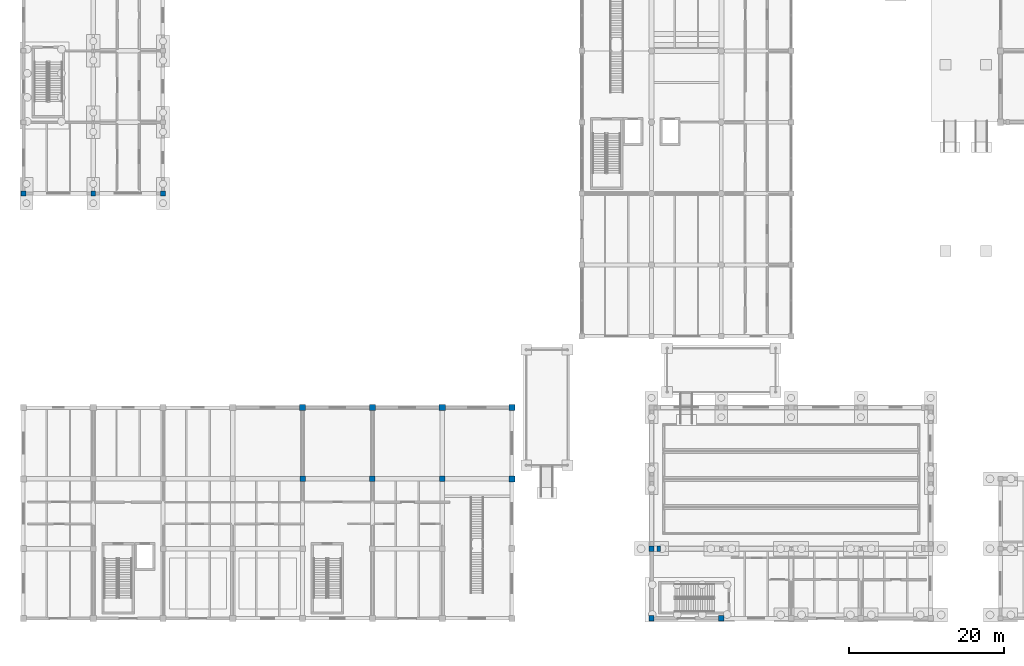
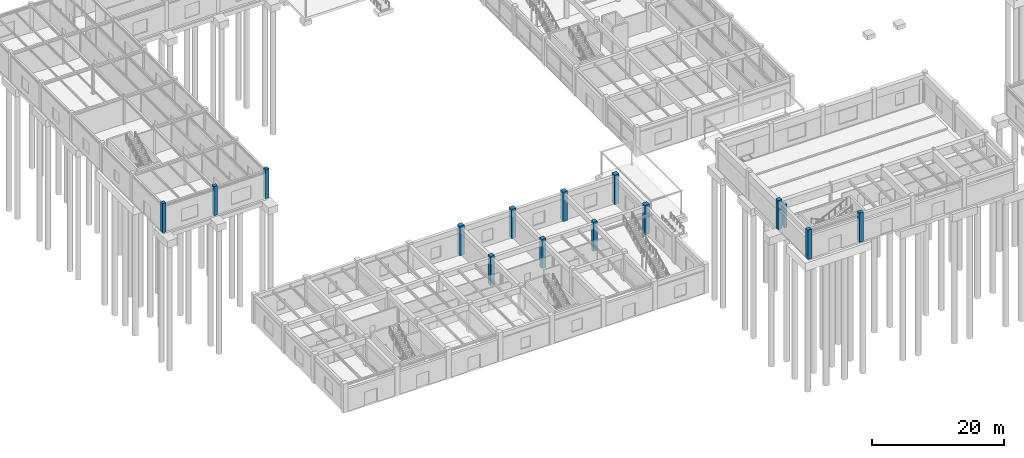
# One storey, part 5 of 76: 15 columns.
"""IFC4 building model written with IfcOpenShell, lengths in metres."""

from ifc_helpers import new_model, si_unit, direction, frame, origin, origin_2d, place, context, subcontext, project, spatial, rectangle, extrude, material, material_profile, profile_set, type_object, element, save


model = new_model("IFC4")

# Units and contexts
model_context = context("Model", 3, precision=1e-05, world=origin(), true_north=direction((0.0, 1.0)))
body_context = subcontext(model_context, "Body", "Model", "MODEL_VIEW")
ifc_project = project(units=[si_unit("LENGTHUNIT", "METRE"), si_unit("AREAUNIT", "SQUARE_METRE"), si_unit("VOLUMEUNIT", "CUBIC_METRE"), si_unit("PLANEANGLEUNIT", "RADIAN"), si_unit("MASSUNIT", "GRAM", prefix="KILO")], contexts=[model_context])

# Site, building, storey
site_placement = place(None, origin())
site = spatial("IfcSite", under=ifc_project, at=site_placement, CompositionType="ELEMENT")
building_placement = place(site_placement, origin())
building = spatial("IfcBuilding", under=site, at=building_placement, Name="Bozkorgan Art Gallery", CompositionType="ELEMENT")
storey_placement = place(building_placement, origin())
storey = spatial("IfcBuildingStorey", under=building, at=storey_placement, Name="L00", CompositionType="ELEMENT", Elevation=0.0)

# Columns
ifc_material = material(Name="Concrete C40/50", Category="concrete")
ifc_material_profile_1 = material_profile(ifc_material, rectangle(XDim=0.699951171875, YDim=0.699951171875, at=origin_2d()), Name="RC 700x700")
ifc_profile_set_1 = profile_set([ifc_material_profile_1], Name="Concrete C40/50")
column_type_1 = type_object("IfcColumnType", Name="COLUMN-C-11", PredefinedType="COLUMN", material=ifc_profile_set_1)
for number, where, z_axis, x_axis, name in (
    (1, (38.0, 20.0, 0.0), (0.0, 0.0, 1.0), (1.0, 0.0, 0.0), "V1 L00 column (38.0, 20.0)"),
    (2, (47.0, 20.0, 0.0), (0.0, 0.0, 1.0), (1.0, 0.0, 0.0), "V1 L00 column (47.0, 20.0)"),
    (3, (56.0, 20.0, 0.0), (0.0, 0.0, 1.0), (1.0, 0.0, 0.0), "V1 L00 column (56.0, 20.0)"),
):
    element("IfcColumn", number, at=place(storey_placement, frame(where, z_axis=z_axis, x_axis=x_axis)), inside=storey, type_object=column_type_1, Name=name, PredefinedType="COLUMN", context=body_context, shape_type="SweptSolid", body=[
        extrude(rectangle(XDim=0.699951171875, YDim=0.699951171875, at=origin_2d()), origin(), (0.0, 0.0, 1.0), 5.39990234375),
    ])
ifc_material_profile_2 = material_profile(ifc_material, rectangle(XDim=0.60009765625, YDim=0.60009765625, at=origin_2d()), Name="RC 600x600")
ifc_profile_set_2 = profile_set([ifc_material_profile_2], Name="Concrete C40/50")
column_type_2 = type_object("IfcColumnType", Name="COLUMN-C-24", PredefinedType="COLUMN", material=ifc_profile_set_2)
for number, where, z_axis, x_axis, name in (
    (4, (2.0, 56.800048828125, 0.0), (0.0, 0.0, 1.0), (1.0, 0.0, 0.0), "V2 L00 column (2.0, 56.8)"),
    (5, (11.0, 56.800048828125, 0.0), (0.0, 0.0, 1.0), (1.0, 0.0, 0.0), "V2 L00 column (11.0, 56.8)"),
    (6, (20.0, 56.800048828125, 0.0), (0.0, 0.0, 1.0), (1.0, 0.0, 0.0), "V2 L00 column (20.0, 56.8)"),
):
    element("IfcColumn", number, at=place(storey_placement, frame(where, z_axis=z_axis, x_axis=x_axis)), inside=storey, type_object=column_type_2, Name=name, PredefinedType="COLUMN", context=body_context, shape_type="SweptSolid", body=[
        extrude(rectangle(XDim=0.60009765625, YDim=0.60009765625, at=origin_2d()), origin(), (0.0, 0.0, 1.0), 5.39990234375),
    ])
ifc_material_profile_3 = material_profile(ifc_material, rectangle(XDim=0.800048828125, YDim=0.800048828125, at=origin_2d()), Name="RC 800x800")
ifc_profile_set_3 = profile_set([ifc_material_profile_3], Name="Concrete C40/50")
column_type_3 = type_object("IfcColumnType", Name="COLUMN-C-45", PredefinedType="COLUMN", material=ifc_profile_set_3)
for number, where, z_axis, x_axis, name in (
    (7, (38.0, 29.199951171875, 0.0), (0.0, 0.0, 1.0), (1.0, 0.0, 0.0), "V1 L00 column (38.0, 29.2)"),
    (8, (47.0, 29.199951171875, 0.0), (0.0, 0.0, 1.0), (1.0, 0.0, 0.0), "V1 L00 column (47.0, 29.2)"),
    (9, (56.0, 29.199951171875, 0.0), (0.0, 0.0, 1.0), (1.0, 0.0, 0.0), "V1 L00 column (56.0, 29.2)"),
    (10, (65.0, 20.0, 0.0), (0.0, 0.0, 1.0), (1.0, 0.0, 0.0), "V1 L00 column (65.0, 20.0)"),
    (11, (65.0, 29.199951171875, 0.0), (0.0, 0.0, 1.0), (1.0, 0.0, 0.0), "V1 L00 column (65.0, 29.2)"),
):
    element("IfcColumn", number, at=place(storey_placement, frame(where, z_axis=z_axis, x_axis=x_axis)), inside=storey, type_object=column_type_3, Name=name, PredefinedType="COLUMN", context=body_context, shape_type="SweptSolid", body=[
        extrude(rectangle(XDim=0.800048828125, YDim=0.800048828125, at=origin_2d()), origin(), (0.0, 0.0, 1.0), 5.39990234375),
    ])
ifc_material_profile_4 = material_profile(ifc_material, rectangle(XDim=0.699951171875, YDim=0.699951171875, at=origin_2d()), Name="RC 700x700")
ifc_profile_set_4 = profile_set([ifc_material_profile_4], Name="Concrete C40/50")
column_type_4 = type_object("IfcColumnType", Name="COLUMN-C-73", PredefinedType="COLUMN", material=ifc_profile_set_4)
for number, where, z_axis, x_axis, name in (
    (12, (83.0, 2.0, 0.0), (0.0, 0.0, 1.0), (1.0, 0.0, 0.0), "V3 L00 column (83.0, 2.0)"),
    (13, (83.0, 11.0, 0.0), (0.0, 0.0, 1.0), (1.0, 0.0, 0.0), "V3 L00 column (83.0, 11.0)"),
    (14, (92.0, 2.0, 0.0), (0.0, 0.0, 1.0), (1.0, 0.0, 0.0), "V3 L00 column (92.0, 2.0)"),
):
    element("IfcColumn", number, at=place(storey_placement, frame(where, z_axis=z_axis, x_axis=x_axis)), inside=storey, type_object=column_type_4, Name=name, PredefinedType="COLUMN", context=body_context, shape_type="SweptSolid", body=[
        extrude(rectangle(XDim=0.699951171875, YDim=0.699951171875, at=origin_2d()), origin(), (0.0, 0.0, 1.0), 5.39990234375),
    ])
ifc_material_profile_5 = material_profile(ifc_material, rectangle(XDim=0.449951171875, YDim=0.699951171875, at=origin_2d()), Name="RC 450x700")
ifc_profile_set_5 = profile_set([ifc_material_profile_5], Name="Concrete C40/50")
column_type_5 = type_object("IfcColumnType", Name="COLUMN-PL-20", PredefinedType="PILASTER", material=ifc_profile_set_5)
column_placement = place(storey_placement, frame((83.949951171875, 11.0, 0.0), z_axis=(0.0, 0.0, 1.0), x_axis=(1.0, 0.0, 0.0)))
element("IfcColumn", 15, at=column_placement, inside=storey, type_object=column_type_5, Name="V3 L00 corner masonry pilaster 1", PredefinedType="PILASTER", context=body_context, shape_type="SweptSolid", body=[
    extrude(rectangle(XDim=0.449951171875, YDim=0.699951171875, at=origin_2d()), origin(), (0.0, 0.0, 1.0), 4.35009765625),
])

save(model, "model.ifc")
